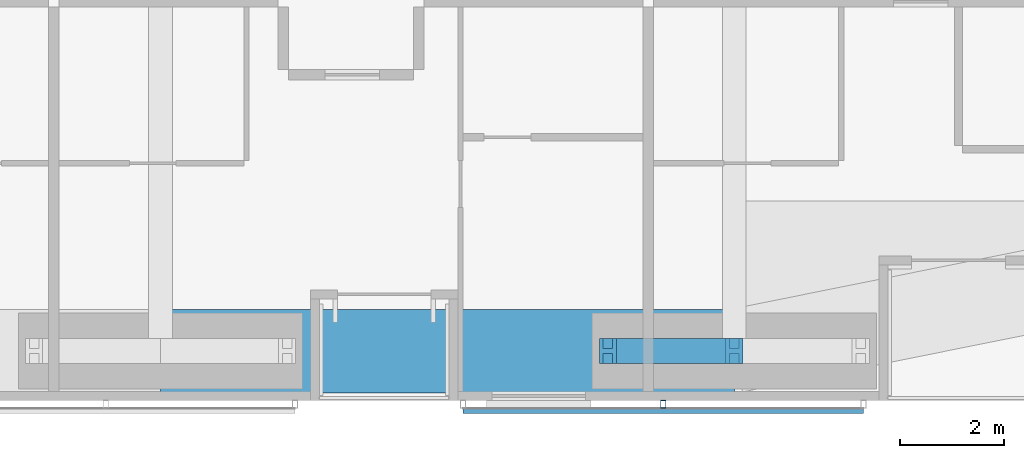
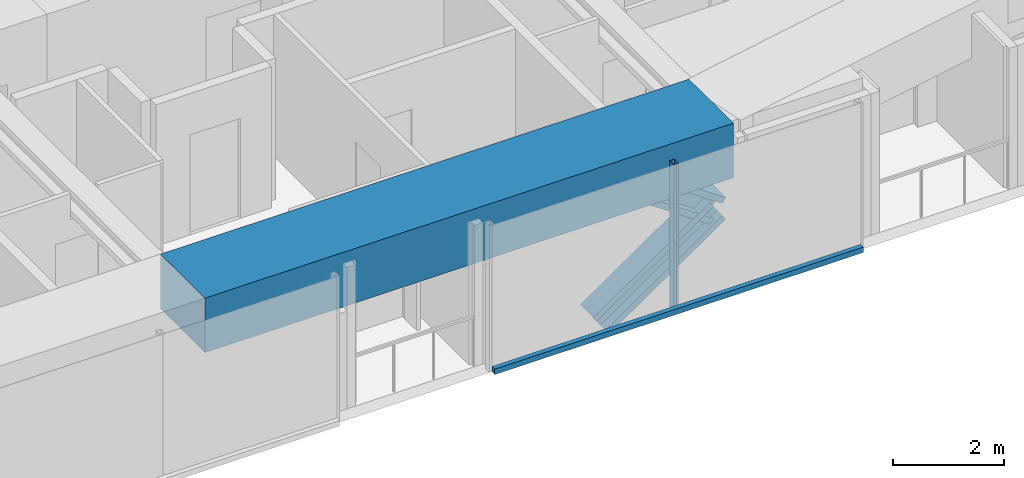
# One storey, part 5 of 23: 4 members, 1 beam, 1 element without a shape of its own.
"""IFC4 building model written with IfcOpenShell, lengths in metres."""

from ifc_helpers import new_model, si_unit, direction, frame, origin, origin_2d, place, context, subcontext, project, spatial, rectangle, hollow_rectangle, i_section, extrude, material, material_profile, profile_set, type_object, element, aggregate, save


model = new_model("IFC4")

# Units and contexts
model_context = context("Model", 3, precision=1e-05, world=origin(), true_north=direction((0.0, 1.0)))
body_context = subcontext(model_context, "Body", "Model", "MODEL_VIEW")
ifc_project = project(units=[si_unit("LENGTHUNIT", "METRE"), si_unit("AREAUNIT", "SQUARE_METRE"), si_unit("VOLUMEUNIT", "CUBIC_METRE"), si_unit("PLANEANGLEUNIT", "RADIAN"), si_unit("MASSUNIT", "GRAM", prefix="KILO")], contexts=[model_context])

# Site, building, storey
site_placement = place(None, origin())
site = spatial("IfcSite", under=ifc_project, at=site_placement, CompositionType="ELEMENT")
building_placement = place(site_placement, origin())
building = spatial("IfcBuilding", under=site, at=building_placement, Name="Jalousie Tower", CompositionType="ELEMENT")
storey_placement = place(building_placement, frame((0.0, 0.0, 24.35009765625)))
storey = spatial("IfcBuildingStorey", under=building, at=storey_placement, Name="L05", CompositionType="ELEMENT", Elevation=24.35009765625)

# Members
ifc_material_1 = material(Name="Steel ASTM A992 Grade 50", Category="steel")
ifc_material_profile_1 = material_profile(ifc_material_1, i_section(OverallWidth=0.472412109375, OverallDepth=0.5791015625, WebThickness=0.094970703125, FlangeThickness=0.1298828125, at=origin_2d()), Name="W14X808")
ifc_profile_set_1 = profile_set([ifc_material_profile_1], Name="Steel ASTM A992 Grade 50")
member_type_1 = type_object("IfcMemberType", Name="PERIMETER BRACE W14X808", PredefinedType="BRACE", material=ifc_profile_set_1)
for number, where, z_axis, x_axis, name in (
    (1, (32.574951171875, 0.949951171875, -0.60009765625), (0.822800062329, 0.0, 0.568330940062), (0.0, 1.0, 0.0), "Perimeter brace 04 L05 part 1"),
    (2, (35.0, 0.949951171875, 1.074951171875), (-0.822800062329, 0.0, 0.568330940062), (0.0, -1.0, 0.0), "Perimeter brace 04 L05 part 4"),
):
    element("IfcMember", number, at=place(storey_placement, frame(where, z_axis=z_axis, x_axis=x_axis)), inside=storey, type_object=member_type_1, Name=name, PredefinedType="BRACE", context=body_context, shape_type="SweptSolid", body=[
        extrude(i_section(OverallWidth=0.472412109375, OverallDepth=0.5791015625, WebThickness=0.094970703125, FlangeThickness=0.1298828125, at=origin_2d()), origin(), (0.0, 0.0, 1.0), 2.947265625),
    ])

# Beam
ifc_material_2 = material(Name="Concrete f'c 40 MPa", Category="concrete")
ifc_material_profile_2 = material_profile(ifc_material_2, rectangle(XDim=1.60009765625, YDim=1.199951171875, at=origin_2d()), Name="RC 1600x1200")
ifc_profile_set_2 = profile_set([ifc_material_profile_2], Name="Concrete f'c 40 MPa")
beam_type = type_object("IfcBeamType", Name="RC BEAM 1600x1200", PredefinedType="BEAM", material=ifc_profile_set_2)
beam_placement = place(storey_placement, frame((24.0, 0.949951171875, 2.75), z_axis=(1.0, 0.0, 0.0), x_axis=(0.0, 1.0, 0.0)))
element("IfcBeam", 3, at=beam_placement, inside=storey, type_object=beam_type, Name="Edge band beam 03-04 under L06", PredefinedType="BEAM", context=body_context, shape_type="SweptSolid", body=[
    extrude(rectangle(XDim=1.60009765625, YDim=1.199951171875, at=origin_2d()), origin(), (0.0, 0.0, 1.0), 11.0),
])

# Curtain wall, members
ifc_material_3 = material(Name="Perforated aluminium sheet", Category="aluminium")
curtain_wall_type = type_object("IfcCurtainWallType", Name="SOLAR SCREEN SS-1", PredefinedType="USERDEFINED", material=ifc_material_3)
curtain_wall_placement = place(storey_placement, origin())
curtain_wall = element("IfcCurtainWall", 4, at=curtain_wall_placement, inside=storey, type_object=curtain_wall_type, Name="Solar screen L05", ObjectType="SOLAR SCREEN SS-1", PredefinedType="USERDEFINED")
ifc_material_4 = material(Name="Steel ASTM A500 Grade C", Category="steel")
ifc_material_profile_3 = material_profile(ifc_material_4, hollow_rectangle(XDim=0.1015625, YDim=0.15234375, WallThickness=0.00634765625, at=origin_2d()), Name="HSS6X4X1/4")
ifc_profile_set_3 = profile_set([ifc_material_profile_3], Name="Steel ASTM A500 Grade C")
member_type_2 = type_object("IfcMemberType", Name="SOLAR SCREEN SS-1 MULLION", PredefinedType="MULLION", material=ifc_profile_set_3)
member_1_placement = place(storey_placement, frame((33.637451171875, -0.0712890625, -0.1201171875), z_axis=(0.0, 0.0, 1.0), x_axis=(1.0, 0.0, 0.0)))
member_1 = element("IfcMember", 5, at=member_1_placement, type_object=member_type_2, Name="SS1 post 2", PredefinedType="MULLION", context=body_context, shape_type="SweptSolid", body=[
    extrude(hollow_rectangle(XDim=0.1015625, YDim=0.15234375, WallThickness=0.00634765625, at=origin_2d()), origin(), (0.0, 0.0, 1.0), 3.22998046875),
])
ifc_material_5 = material(Name="Extruded aluminium screen rail", Category="aluminium")
ifc_material_profile_4 = material_profile(ifc_material_5, rectangle(XDim=0.1015625, YDim=0.1201171875, at=origin_2d()), Name="RAIL 102x120")
ifc_profile_set_4 = profile_set([ifc_material_profile_4], Name="Extruded aluminium screen rail")
member_type_3 = type_object("IfcMemberType", Name="SOLAR SCREEN SS-1 TRANSOM", PredefinedType="USERDEFINED", material=ifc_profile_set_4)
member_2_placement = place(storey_placement, frame((29.800048828125, -0.1982421875, -0.06005859375), z_axis=(1.0, 0.0, 0.0), x_axis=(0.0, 1.0, 0.0)))
member_2 = element("IfcMember", 6, at=member_2_placement, type_object=member_type_3, Name="SS1 rail", ObjectType="TRANSOM", PredefinedType="USERDEFINED", context=body_context, shape_type="SweptSolid", body=[
    extrude(rectangle(XDim=0.1015625, YDim=0.1201171875, at=origin_2d()), origin(), (0.0, 0.0, 1.0), 7.675048828125),
])
aggregate(curtain_wall, [member_1, member_2])

save(model, "model.ifc")
